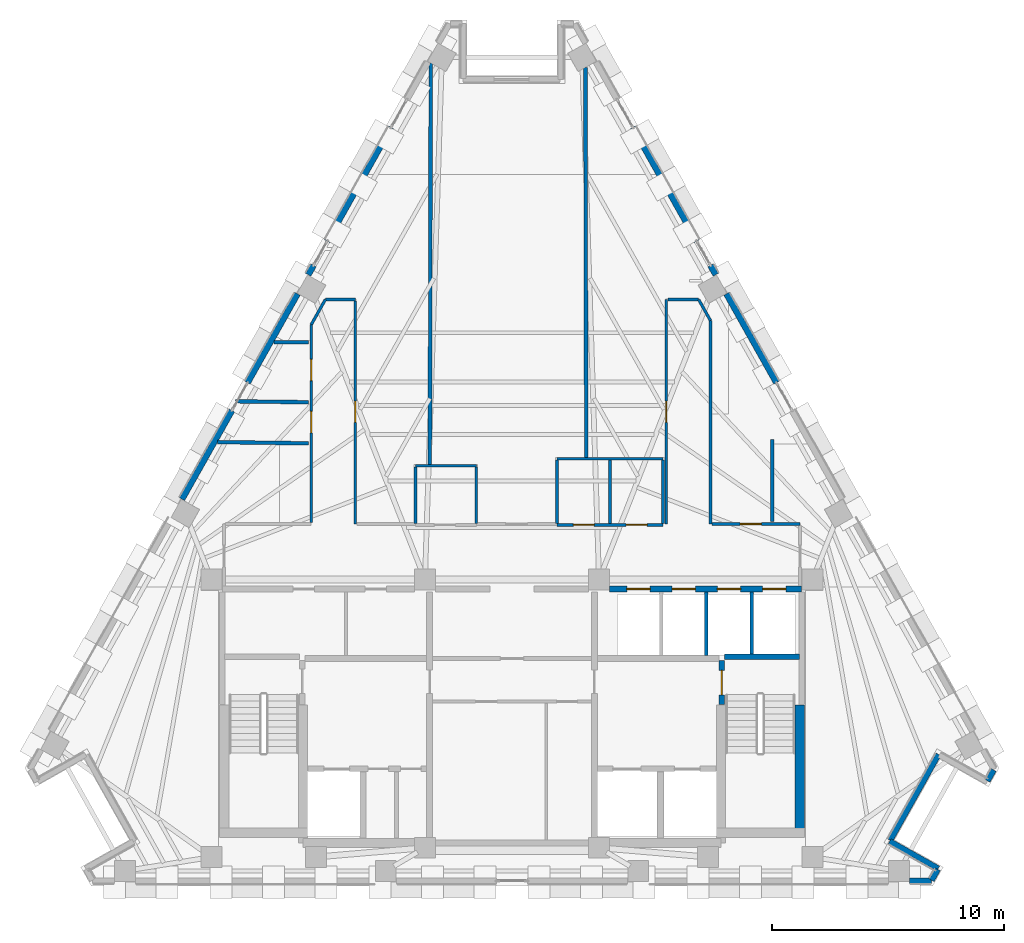
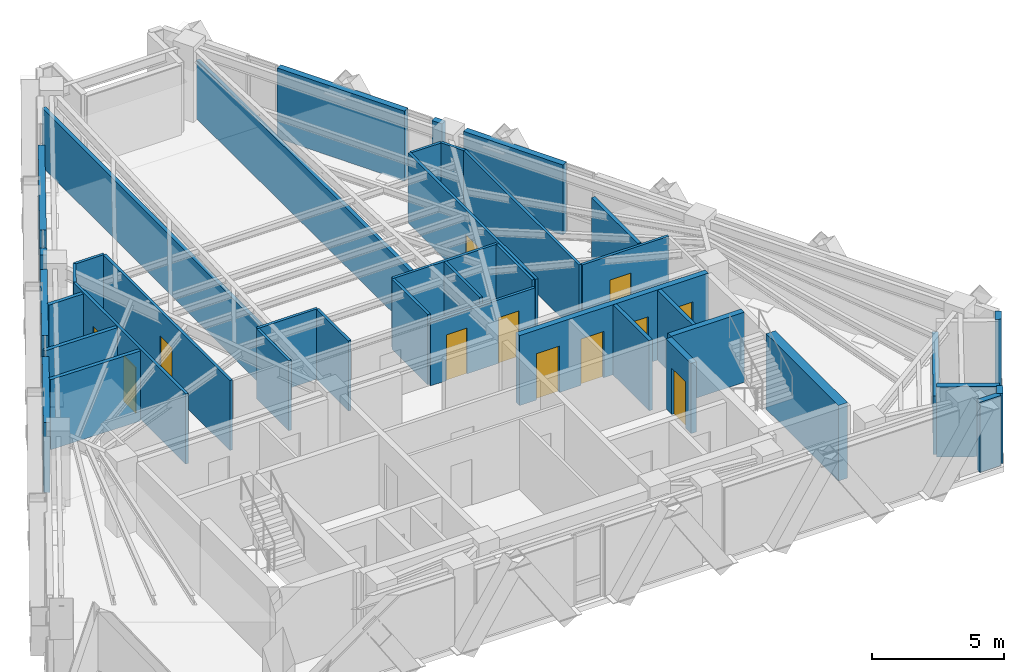
# One storey, part 8 of 12: 41 walls, 12 doors, 12 openings.
"""IFC4 building model written with IfcOpenShell, lengths in metres."""

from ifc_helpers import new_model, si_unit, direction, frame, frame_2d, origin, place, context, subcontext, project, spatial, rectangle, extrude, material, layer, layer_set, type_object, element, fill, save


model = new_model("IFC4")

# Units and contexts
model_context = context("Model", 3, precision=1e-05, world=origin(), true_north=direction((0.0, 1.0)))
body_context = subcontext(model_context, "Body", "Model", "MODEL_VIEW")
ifc_project = project(units=[si_unit("LENGTHUNIT", "METRE"), si_unit("AREAUNIT", "SQUARE_METRE"), si_unit("VOLUMEUNIT", "CUBIC_METRE"), si_unit("PLANEANGLEUNIT", "RADIAN"), si_unit("MASSUNIT", "GRAM", prefix="KILO")], contexts=[model_context])

# Site, building, storey
site_placement = place(None, origin())
site = spatial("IfcSite", under=ifc_project, at=site_placement, CompositionType="ELEMENT")
building_placement = place(site_placement, origin())
building = spatial("IfcBuilding", under=site, at=building_placement, Name="Quenlor Broadcast Tower", CompositionType="ELEMENT")
storey_placement = place(building_placement, frame((0.0, 0.0, 197.39990234375)))
storey = spatial("IfcBuildingStorey", under=building, at=storey_placement, Name="L54", CompositionType="ELEMENT", Elevation=197.39990234375)

# Wall
ifc_material_1 = material(Name="Concrete C50/60", Category="concrete")
ifc_layer_1 = layer(ifc_material_1, 0.39990234375)
ifc_layer_set_1 = layer_set([ifc_layer_1], Name="Core Concrete C50/60 Shear Wall 400")
wall_type_1 = type_object("IfcWallType", Name="Core Concrete C50/60 Shear Wall 400", PredefinedType="SHEAR", material=ifc_layer_set_1)
wall_1_placement = place(storey_placement, frame((12.39990234375, -15.699951171875, 0.0), z_axis=(0.0, 0.0, 1.0), x_axis=(0.0, 1.0, 0.0)))
element("IfcWall", 1, at=wall_1_placement, inside=storey, type_object=wall_type_1, Name="L54 Core Shear Wall WF-E", PredefinedType="SHEAR", context=body_context, shape_type="SweptSolid", body=[
    extrude(rectangle(XDim=5.5, YDim=0.39990234375, at=frame_2d((2.75, 0.0))), origin(), (0.0, 0.0, 1.0), 3.5),
])

# Wall, opening, door
ifc_material_2 = material(Name="Concrete C40/50", Category="concrete")
ifc_layer_2 = layer(ifc_material_2, 0.25)
ifc_layer_set_2 = layer_set([ifc_layer_2], Name="Fire Rated Concrete C40/50 Core Wall 250")
wall_type_2 = type_object("IfcWallType", Name="Fire Rated Concrete C40/50 Core Wall 250", PredefinedType="PARTITIONING", material=ifc_layer_set_2)
wall_2_placement = place(storey_placement, frame((9.0400390625, -10.179931640625, 0.0), z_axis=(0.0, 0.0, 1.0), x_axis=(0.0, 1.0, 0.0)))
wall_2 = element("IfcWall", 2, at=wall_2_placement, inside=storey, type_object=wall_type_2, Name="L54 Interior Wall CW-ST2-DR", PredefinedType="PARTITIONING", context=body_context, shape_type="SweptSolid", body=[
    extrude(rectangle(XDim=1.89990234375, YDim=0.25, at=frame_2d((0.949951171875, 0.0))), origin(), (0.0, 0.0, 1.0), 3.25),
])
opening_1_placement = place(wall_2_placement, frame((0.419921875, 0.0, 0.0)))
opening_1 = element("IfcOpeningElement", 3, at=opening_1_placement, cuts=wall_2, Name="Opening FD-1", PredefinedType="OPENING", context=body_context, shape_type="SweptSolid", body=[
    extrude(rectangle(XDim=1.050048828125, YDim=2.14990234375, at=frame_2d((0.52490234375, 1.074951171875))), frame((0.0, 0.135009765625, 0.0), z_axis=(0.0, -1.0, 0.0), x_axis=(1.0, 0.0, 0.0)), (0.0, 0.0, 1.0), 0.27001953125),
])
ifc_material_3 = material(Name="Fire Rated Steel Door Leaf", Category="steel")
door_type_1 = type_object("IfcDoorType", Name="Fire Isolated Stair Door 1050x2150", OperationType="NOTDEFINED", PredefinedType="DOOR", material=ifc_material_3)
door_1_placement = place(opening_1_placement, origin())
door_1 = element("IfcDoor", 4, at=door_1_placement, inside=storey, type_object=door_type_1, Name="L54 Door DR-ST2", OperationType="SINGLE_SWING_RIGHT", OverallHeight=2.14990234375, OverallWidth=1.050048828125, PredefinedType="DOOR", context=body_context, shape_type="SweptSolid", body=[
    extrude(rectangle(XDim=1.050048828125, YDim=2.14990234375, at=frame_2d((0.52490234375, 1.074951171875))), frame((0.0, 0.02490234375, 0.0), z_axis=(0.0, -1.0, 0.0), x_axis=(1.0, 0.0, 0.0)), (0.0, 0.0, 1.0), 0.050048828125),
])
fill(opening_1, door_1)

# Wall
wall_3_placement = place(storey_placement, frame((9.159912109375, -8.1201171875, 0.0), z_axis=(0.0, 0.0, 1.0), x_axis=(1.0, 0.0, 0.0)))
element("IfcWall", 5, at=wall_3_placement, inside=storey, type_object=wall_type_2, Name="L54 Interior Wall CW-ST2-N", PredefinedType="PARTITIONING", context=body_context, shape_type="SweptSolid", body=[
    extrude(rectangle(XDim=3.219970703125, YDim=0.25, at=frame_2d((1.60986328125, 0.0))), origin(), (0.0, 0.0, 1.0), 3.25),
])

# Wall, openings, doors
wall_4_placement = place(storey_placement, frame((4.201904296875, -5.199951171875, 0.0), z_axis=(0.0, 0.0, 1.0), x_axis=(1.0, 0.0, 0.0)))
wall_4 = element("IfcWall", 6, at=wall_4_placement, inside=storey, type_object=wall_type_2, Name="L54 Interior Wall CW-N-E", PredefinedType="PARTITIONING", context=body_context, shape_type="SweptSolid", body=[
    extrude(rectangle(XDim=8.278076171875, YDim=0.25, at=frame_2d((4.13916015625, 0.0))), origin(), (0.0, 0.0, 1.0), 3.25),
])
opening_2_placement = place(wall_4_placement, frame((0.748046875, 0.0, 0.0)))
opening_2 = element("IfcOpeningElement", 7, at=opening_2_placement, cuts=wall_4, Name="Opening LD-PL-H1", PredefinedType="OPENING", context=body_context, shape_type="SweptSolid", body=[
    extrude(rectangle(XDim=1.0, YDim=2.14990234375, at=frame_2d((0.5, 1.074951171875))), frame((0.0, 0.135009765625, 0.0), z_axis=(0.0, -1.0, 0.0), x_axis=(1.0, 0.0, 0.0)), (0.0, 0.0, 1.0), 0.27001953125),
])
opening_3_placement = place(wall_4_placement, frame((2.697998046875, 0.0, 0.0)))
opening_3 = element("IfcOpeningElement", 8, at=opening_3_placement, cuts=wall_4, Name="Opening LD-PL-H2", PredefinedType="OPENING", context=body_context, shape_type="SweptSolid", body=[
    extrude(rectangle(XDim=1.0, YDim=2.14990234375, at=frame_2d((0.5, 1.074951171875))), frame((0.0, 0.135009765625, 0.0), z_axis=(0.0, -1.0, 0.0), x_axis=(1.0, 0.0, 0.0)), (0.0, 0.0, 1.0), 0.27001953125),
])
opening_4_placement = place(wall_4_placement, frame((4.64794921875, 0.0, 0.0)))
opening_4 = element("IfcOpeningElement", 9, at=opening_4_placement, cuts=wall_4, Name="Opening LD-PL-H3", PredefinedType="OPENING", context=body_context, shape_type="SweptSolid", body=[
    extrude(rectangle(XDim=1.0, YDim=2.14990234375, at=frame_2d((0.5, 1.074951171875))), frame((0.0, 0.135009765625, 0.0), z_axis=(0.0, -1.0, 0.0), x_axis=(1.0, 0.0, 0.0)), (0.0, 0.0, 1.0), 0.27001953125),
])
opening_5_placement = place(wall_4_placement, frame((6.597900390625, 0.0, 0.0)))
opening_5 = element("IfcOpeningElement", 10, at=opening_5_placement, cuts=wall_4, Name="Opening LD-PL-H4", PredefinedType="OPENING", context=body_context, shape_type="SweptSolid", body=[
    extrude(rectangle(XDim=1.0, YDim=2.14990234375, at=frame_2d((0.5, 1.074951171875))), frame((0.0, 0.135009765625, 0.0), z_axis=(0.0, -1.0, 0.0), x_axis=(1.0, 0.0, 0.0)), (0.0, 0.0, 1.0), 0.27001953125),
])
ifc_material_4 = material(Name="Brushed Stainless Steel", Category="steel")
door_type_2 = type_object("IfcDoorType", Name="Passenger Lift Sliding Landing Door 1000x2150", OperationType="NOTDEFINED", PredefinedType="DOOR", material=ifc_material_4)
door_2_placement = place(opening_2_placement, origin())
door_2 = element("IfcDoor", 11, at=door_2_placement, inside=storey, type_object=door_type_2, Name="L54 Door LD-PL-H1", OperationType="SLIDING_TO_RIGHT", OverallHeight=2.14990234375, OverallWidth=1.0, PredefinedType="DOOR", context=body_context, shape_type="SweptSolid", body=[
    extrude(rectangle(XDim=1.0, YDim=2.14990234375, at=frame_2d((0.5, 1.074951171875))), frame((0.0, 0.02490234375, 0.0), z_axis=(0.0, -1.0, 0.0), x_axis=(1.0, 0.0, 0.0)), (0.0, 0.0, 1.0), 0.050048828125),
])
fill(opening_2, door_2)
door_3_placement = place(opening_3_placement, origin())
door_3 = element("IfcDoor", 12, at=door_3_placement, inside=storey, type_object=door_type_2, Name="L54 Door LD-PL-H2", OperationType="SLIDING_TO_RIGHT", OverallHeight=2.14990234375, OverallWidth=1.0, PredefinedType="DOOR", context=body_context, shape_type="SweptSolid", body=[
    extrude(rectangle(XDim=1.0, YDim=2.14990234375, at=frame_2d((0.5, 1.074951171875))), frame((0.0, 0.02490234375, 0.0), z_axis=(0.0, -1.0, 0.0), x_axis=(1.0, 0.0, 0.0)), (0.0, 0.0, 1.0), 0.050048828125),
])
fill(opening_3, door_3)
door_4_placement = place(opening_4_placement, origin())
door_4 = element("IfcDoor", 13, at=door_4_placement, inside=storey, type_object=door_type_2, Name="L54 Door LD-PL-H3", OperationType="SLIDING_TO_RIGHT", OverallHeight=2.14990234375, OverallWidth=1.0, PredefinedType="DOOR", context=body_context, shape_type="SweptSolid", body=[
    extrude(rectangle(XDim=1.0, YDim=2.14990234375, at=frame_2d((0.5, 1.074951171875))), frame((0.0, 0.02490234375, 0.0), z_axis=(0.0, -1.0, 0.0), x_axis=(1.0, 0.0, 0.0)), (0.0, 0.0, 1.0), 0.050048828125),
])
fill(opening_4, door_4)
door_5_placement = place(opening_5_placement, origin())
door_5 = element("IfcDoor", 14, at=door_5_placement, inside=storey, type_object=door_type_2, Name="L54 Door LD-PL-H4", OperationType="SLIDING_TO_RIGHT", OverallHeight=2.14990234375, OverallWidth=1.0, PredefinedType="DOOR", context=body_context, shape_type="SweptSolid", body=[
    extrude(rectangle(XDim=1.0, YDim=2.14990234375, at=frame_2d((0.5, 1.074951171875))), frame((0.0, 0.02490234375, 0.0), z_axis=(0.0, -1.0, 0.0), x_axis=(1.0, 0.0, 0.0)), (0.0, 0.0, 1.0), 0.050048828125),
])
fill(opening_5, door_5)

# Walls
ifc_material_5 = material(Name="Gypsum Fireboard Partition", Category="other")
ifc_layer_3 = layer(ifc_material_5, 0.159912109375)
ifc_layer_set_3 = layer_set([ifc_layer_3], Name="Fire Rated Shaft and Corridor Partition 160")
wall_type_3 = type_object("IfcWallType", Name="Fire Rated Shaft and Corridor Partition 160", PredefinedType="PARTITIONING", material=ifc_layer_set_3)
wall_5_placement = place(storey_placement, frame((8.375, -8.072998046875, 0.0), z_axis=(0.0, 0.0, 1.0), x_axis=(0.0, 1.0, 0.0)))
element("IfcWall", 15, at=wall_5_placement, inside=storey, type_object=wall_type_3, Name="L54 Interior Wall CW-PLH-D2", PredefinedType="PARTITIONING", context=body_context, shape_type="SweptSolid", body=[
    extrude(rectangle(XDim=2.73291015625, YDim=0.159912109375, at=frame_2d((1.366455078125, 0.0))), origin(), (0.0, 0.0, 1.0), 3.25),
])
wall_6_placement = place(storey_placement, frame((10.324951171875, -7.992919921875, 0.0), z_axis=(0.0, 0.0, 1.0), x_axis=(0.0, 1.0, 0.0)))
element("IfcWall", 16, at=wall_6_placement, inside=storey, type_object=wall_type_3, Name="L54 Interior Wall CW-PLH-D3", PredefinedType="PARTITIONING", context=body_context, shape_type="SweptSolid", body=[
    extrude(rectangle(XDim=2.65283203125, YDim=0.159912109375, at=frame_2d((1.326416015625, 0.0))), origin(), (0.0, 0.0, 1.0), 3.25),
])
wall_7_placement = place(storey_placement, frame((3.162109375, 17.265380859375, 0.0), z_axis=(0.0, 0.0, 1.0), x_axis=(0.002238822058, -0.999997493835, 0.0)))
element("IfcWall", 17, at=wall_7_placement, inside=storey, type_object=wall_type_3, Name="L54 Interior Wall PW-DV-01", PredefinedType="PARTITIONING", context=body_context, shape_type="SweptSolid", body=[
    extrude(rectangle(XDim=16.79345703125, YDim=0.159912109375, at=frame_2d((8.396728515625, 0.0))), origin(), (0.0, 0.0, 1.0), 2.721923828125),
])
wall_8_placement = place(storey_placement, frame((-3.539794921875, 0.172119140625, 0.0), z_axis=(0.0, 0.0, 1.0), x_axis=(0.002274198148, 0.999997414008, 0.0)))
element("IfcWall", 18, at=wall_8_placement, inside=storey, type_object=wall_type_3, Name="L54 Interior Wall PW-DV-02", PredefinedType="PARTITIONING", context=body_context, shape_type="SweptSolid", body=[
    extrude(rectangle(XDim=17.28369140625, YDim=0.159912109375, at=frame_2d((8.641845703125, 0.0))), origin(), (0.0, 0.0, 1.0), 2.721923828125),
])
wall_9_placement = place(storey_placement, frame((-8.760009765625, 5.429931640625, 0.0), z_axis=(0.0, 0.0, 1.0), x_axis=(-1.0, 0.0, 0.0)))
element("IfcWall", 19, at=wall_9_placement, inside=storey, type_object=wall_type_3, Name="L54 Interior Wall PW-DV-03", PredefinedType="PARTITIONING", context=body_context, shape_type="SweptSolid", body=[
    extrude(rectangle(XDim=1.5009765625, YDim=0.159912109375, at=frame_2d((0.75048828125, 0.0))), origin(), (0.0, 0.0, 1.0), 3.25),
])
wall_10_placement = place(storey_placement, frame((-8.760009765625, 2.84375, 0.0), z_axis=(0.0, 0.0, 1.0), x_axis=(-0.999923030771, 0.012406955015, 0.0)))
element("IfcWall", 20, at=wall_10_placement, inside=storey, type_object=wall_type_3, Name="L54 Interior Wall PW-DV-04", PredefinedType="PARTITIONING", context=body_context, shape_type="SweptSolid", body=[
    extrude(rectangle(XDim=3.1484375, YDim=0.159912109375, at=frame_2d((1.57421875, 0.0))), origin(), (0.0, 0.0, 1.0), 3.25),
])
wall_11_placement = place(storey_placement, frame((-8.760009765625, 1.072509765625, 0.0), z_axis=(0.0, 0.0, 1.0), x_axis=(-0.999901887135, 0.014007715871, 0.0)))
element("IfcWall", 21, at=wall_11_placement, inside=storey, type_object=wall_type_3, Name="L54 Interior Wall PW-DV-05", PredefinedType="PARTITIONING", context=body_context, shape_type="SweptSolid", body=[
    extrude(rectangle(XDim=3.921630859375, YDim=0.159912109375, at=frame_2d((1.9609375, 0.0))), origin(), (0.0, 0.0, 1.0), 3.25),
])
wall_12_placement = place(storey_placement, frame((11.21728515625, 1.22900390625, 0.0), z_axis=(0.0, 0.0, 1.0), x_axis=(0.0, -1.0, 0.0)))
element("IfcWall", 22, at=wall_12_placement, inside=storey, type_object=wall_type_3, Name="L54 Interior Wall PW-DV-06", PredefinedType="PARTITIONING", context=body_context, shape_type="SweptSolid", body=[
    extrude(rectangle(XDim=3.51904296875, YDim=0.159912109375, at=frame_2d((1.759521484375, 0.0))), origin(), (0.0, 0.0, 1.0), 3.25),
])
ifc_material_6 = material(Name="Gypsum Plasterboard Partition", Category="other")
ifc_layer_4 = layer(ifc_material_6, 0.1201171875)
ifc_layer_set_4 = layer_set([ifc_layer_4], Name="Standard Office Partition 120")
wall_type_4 = type_object("IfcWallType", Name="Standard Office Partition 120", PredefinedType="PARTITIONING", material=ifc_layer_set_4)
wall_13_placement = place(storey_placement, frame((-4.159912109375, 0.110107421875, 0.0), z_axis=(0.0, 0.0, 1.0), x_axis=(1.0, 0.0, 0.0)))
element("IfcWall", 23, at=wall_13_placement, inside=storey, type_object=wall_type_4, Name="L54 Interior Wall PW-AWC-N", PredefinedType="PARTITIONING", context=body_context, shape_type="SweptSolid", body=[
    extrude(rectangle(XDim=2.619873046875, YDim=0.1201171875, at=frame_2d((1.31005859375, 0.0))), origin(), (0.0, 0.0, 1.0), 3.25),
])
for number, where, z_axis, x_axis, name in (
    (24, (-4.159912109375, -2.3779296875, 0.0), (0.0, 0.0, 1.0), (0.0, 1.0, 0.0), "L54 Interior Wall PW-AWC-W"),
    (25, (-1.5400390625, -2.3779296875, 0.0), (0.0, 0.0, 1.0), (0.0, 1.0, 0.0), "L54 Interior Wall PW-AWC-E"),
):
    element("IfcWall", number, at=place(storey_placement, frame(where, z_axis=z_axis, x_axis=x_axis)), inside=storey, type_object=wall_type_4, Name=name, PredefinedType="PARTITIONING", context=body_context, shape_type="SweptSolid", body=[
        extrude(rectangle(XDim=2.426025390625, YDim=0.1201171875, at=frame_2d((1.212890625, 0.0))), origin(), (0.0, 0.0, 1.0), 3.25),
    ])

# Wall, openings, doors
wall_14_placement = place(storey_placement, frame((1.93994140625, -2.43994140625, 0.0), z_axis=(0.0, 0.0, 1.0), x_axis=(1.0, 0.0, 0.0)))
wall_14 = element("IfcWall", 26, at=wall_14_placement, inside=storey, type_object=wall_type_4, Name="L54 Interior Wall PW-WC-S", PredefinedType="PARTITIONING", context=body_context, shape_type="SweptSolid", body=[
    extrude(rectangle(XDim=4.570068359375, YDim=0.1201171875, at=frame_2d((2.28515625, 0.0))), origin(), (0.0, 0.0, 1.0), 2.94287109375),
])
opening_6_placement = place(wall_14_placement, frame((0.699951171875, 0.0, 0.0)))
opening_6 = element("IfcOpeningElement", 27, at=opening_6_placement, cuts=wall_14, Name="Opening ID-3", PredefinedType="OPENING", context=body_context, shape_type="SweptSolid", body=[
    extrude(rectangle(XDim=0.89990234375, YDim=2.1201171875, at=frame_2d((0.449951171875, 1.06005859375))), frame((0.0, 0.070068359375, 0.0), z_axis=(0.0, -1.0, 0.0), x_axis=(1.0, 0.0, 0.0)), (0.0, 0.0, 1.0), 0.14013671875),
])
opening_7_placement = place(wall_14_placement, frame((2.97998046875, 0.0, 0.0)))
opening_7 = element("IfcOpeningElement", 28, at=opening_7_placement, cuts=wall_14, Name="Opening ID-3", PredefinedType="OPENING", context=body_context, shape_type="SweptSolid", body=[
    extrude(rectangle(XDim=0.89990234375, YDim=2.1201171875, at=frame_2d((0.449951171875, 1.06005859375))), frame((0.0, 0.070068359375, 0.0), z_axis=(0.0, -1.0, 0.0), x_axis=(1.0, 0.0, 0.0)), (0.0, 0.0, 1.0), 0.14013671875),
])
ifc_material_7 = material(Name="Moisture Resistant Timber Oak", Category="wood")
door_type_3 = type_object("IfcDoorType", Name="Washroom Privacy Door 900x2120", OperationType="NOTDEFINED", PredefinedType="DOOR", material=ifc_material_7)
door_6_placement = place(opening_6_placement, origin())
door_6 = element("IfcDoor", 29, at=door_6_placement, inside=storey, type_object=door_type_3, Name="L54 Door DR-MWC", OperationType="SINGLE_SWING_LEFT", OverallHeight=2.1201171875, OverallWidth=0.89990234375, PredefinedType="DOOR", context=body_context, shape_type="SweptSolid", body=[
    extrude(rectangle(XDim=0.89990234375, YDim=2.1201171875, at=frame_2d((0.449951171875, 1.06005859375))), frame((0.0, 0.02490234375, 0.0), z_axis=(0.0, -1.0, 0.0), x_axis=(1.0, 0.0, 0.0)), (0.0, 0.0, 1.0), 0.050048828125),
])
fill(opening_6, door_6)
door_7_placement = place(opening_7_placement, origin())
door_7 = element("IfcDoor", 30, at=door_7_placement, inside=storey, type_object=door_type_3, Name="L54 Door DR-FWC", OperationType="SINGLE_SWING_RIGHT", OverallHeight=2.1201171875, OverallWidth=0.89990234375, PredefinedType="DOOR", context=body_context, shape_type="SweptSolid", body=[
    extrude(rectangle(XDim=0.89990234375, YDim=2.1201171875, at=frame_2d((0.449951171875, 1.06005859375))), frame((0.0, 0.02490234375, 0.0), z_axis=(0.0, -1.0, 0.0), x_axis=(1.0, 0.0, 0.0)), (0.0, 0.0, 1.0), 0.050048828125),
])
fill(opening_7, door_7)

# Walls
wall_15_placement = place(storey_placement, frame((1.93994140625, 0.409912109375, 0.0), z_axis=(0.0, 0.0, 1.0), x_axis=(1.0, 0.0, 0.0)))
element("IfcWall", 31, at=wall_15_placement, inside=storey, type_object=wall_type_4, Name="L54 Interior Wall PW-WC-N", PredefinedType="PARTITIONING", context=body_context, shape_type="SweptSolid", body=[
    extrude(rectangle(XDim=4.570068359375, YDim=0.1201171875, at=frame_2d((2.28515625, 0.0))), origin(), (0.0, 0.0, 1.0), 3.25),
])
for number, where, z_axis, x_axis, name in (
    (32, (1.93994140625, -2.3779296875, 0.0), (0.0, 0.0, 1.0), (0.0, 1.0, 0.0), "L54 Interior Wall PW-WC-W"),
    (33, (4.219970703125, -2.3779296875, 0.0), (0.0, 0.0, 1.0), (0.0, 1.0, 0.0), "L54 Interior Wall PW-WC-M"),
    (34, (6.510009765625, -2.3779296875, 0.0), (0.0, 0.0, 1.0), (0.0, 1.0, 0.0), "L54 Interior Wall PW-WC-E"),
):
    element("IfcWall", number, at=place(storey_placement, frame(where, z_axis=z_axis, x_axis=x_axis)), inside=storey, type_object=wall_type_4, Name=name, PredefinedType="PARTITIONING", context=body_context, shape_type="SweptSolid", body=[
        extrude(rectangle(XDim=2.725830078125, YDim=0.1201171875, at=frame_2d((1.36279296875, 0.0))), origin(), (0.0, 0.0, 1.0), 3.25),
    ])

# Wall, openings, doors
wall_16_placement = place(storey_placement, frame((-8.64990234375, -2.337890625, 0.0), z_axis=(0.0, 0.0, 1.0), x_axis=(0.0, 1.0, 0.0)))
wall_16 = element("IfcWall", 35, at=wall_16_placement, inside=storey, type_object=wall_type_4, Name="L54 Interior Wall PW-CR-03", PredefinedType="PARTITIONING", context=body_context, shape_type="SweptSolid", body=[
    extrude(rectangle(XDim=8.52490234375, YDim=0.1201171875, at=frame_2d((4.262451171875, 0.0))), origin(), (0.0, 0.0, 1.0), 3.25),
])
opening_8_placement = place(wall_16_placement, frame((6.10888671875, 0.0, 0.0)))
opening_8 = element("IfcOpeningElement", 36, at=opening_8_placement, cuts=wall_16, Name="Opening ID-1", PredefinedType="OPENING", context=body_context, shape_type="SweptSolid", body=[
    extrude(rectangle(XDim=0.919921875, YDim=2.1201171875, at=frame_2d((0.4599609375, 1.06005859375))), frame((0.0, 0.070068359375, 0.0), z_axis=(0.0, -1.0, 0.0), x_axis=(1.0, 0.0, 0.0)), (0.0, 0.0, 1.0), 0.14013671875),
])
opening_9_placement = place(wall_16_placement, frame((3.863037109375, 0.0, 0.0)))
opening_9 = element("IfcOpeningElement", 37, at=opening_9_placement, cuts=wall_16, Name="Opening ID-1", PredefinedType="OPENING", context=body_context, shape_type="SweptSolid", body=[
    extrude(rectangle(XDim=0.919921875, YDim=2.1201171875, at=frame_2d((0.4599609375, 1.06005859375))), frame((0.0, 0.070068359375, 0.0), z_axis=(0.0, -1.0, 0.0), x_axis=(1.0, 0.0, 0.0)), (0.0, 0.0, 1.0), 0.14013671875),
])
ifc_material_8 = material(Name="Solid Core Timber Oak", Category="wood")
door_type_4 = type_object("IfcDoorType", Name="Single Leaf Timber Office Door 920x2120", OperationType="NOTDEFINED", PredefinedType="DOOR", material=ifc_material_8)
door_8_placement = place(opening_8_placement, origin())
door_8 = element("IfcDoor", 38, at=door_8_placement, inside=storey, type_object=door_type_4, Name="L54 Door DR-RM04", OperationType="SINGLE_SWING_LEFT", OverallHeight=2.1201171875, OverallWidth=0.919921875, PredefinedType="DOOR", context=body_context, shape_type="SweptSolid", body=[
    extrude(rectangle(XDim=0.919921875, YDim=2.1201171875, at=frame_2d((0.4599609375, 1.06005859375))), frame((0.0, 0.02490234375, 0.0), z_axis=(0.0, -1.0, 0.0), x_axis=(1.0, 0.0, 0.0)), (0.0, 0.0, 1.0), 0.050048828125),
])
fill(opening_8, door_8)
door_9_placement = place(opening_9_placement, origin())
door_9 = element("IfcDoor", 39, at=door_9_placement, inside=storey, type_object=door_type_4, Name="L54 Door DR-RM05", OperationType="SINGLE_SWING_RIGHT", OverallHeight=2.1201171875, OverallWidth=0.919921875, PredefinedType="DOOR", context=body_context, shape_type="SweptSolid", body=[
    extrude(rectangle(XDim=0.919921875, YDim=2.1201171875, at=frame_2d((0.4599609375, 1.06005859375))), frame((0.0, 0.02490234375, 0.0), z_axis=(0.0, -1.0, 0.0), x_axis=(1.0, 0.0, 0.0)), (0.0, 0.0, 1.0), 0.050048828125),
])
fill(opening_9, door_9)

# Walls
wall_17_placement = place(storey_placement, frame((-8.64892578125, 6.18896484375, 0.0), z_axis=(0.0, 0.0, 1.0), x_axis=(0.490298618985, 0.871554510183, 0.0)))
element("IfcWall", 40, at=wall_17_placement, inside=storey, type_object=wall_type_4, Name="L54 Interior Wall PW-CR-04", PredefinedType="PARTITIONING", context=body_context, shape_type="SweptSolid", body=[
    extrude(rectangle(XDim=1.240478515625, YDim=0.1201171875, at=frame_2d((0.6201171875, 0.0))), origin(), (0.0, 0.0, 1.0), 3.25),
])
wall_18_placement = place(storey_placement, frame((-8.03662109375, 7.27001953125, 0.0), z_axis=(0.0, 0.0, 1.0), x_axis=(1.0, 0.0, 0.0)))
element("IfcWall", 41, at=wall_18_placement, inside=storey, type_object=wall_type_4, Name="L54 Interior Wall PW-CR-05", PredefinedType="PARTITIONING", context=body_context, shape_type="SweptSolid", body=[
    extrude(rectangle(XDim=1.28662109375, YDim=0.1201171875, at=frame_2d((0.643310546875, 0.0))), origin(), (0.0, 0.0, 1.0), 3.25),
])

# Wall, opening, door
wall_19_placement = place(storey_placement, frame((-6.75, 7.2080078125, 0.0), z_axis=(0.0, 0.0, 1.0), x_axis=(0.0, -1.0, 0.0)))
wall_19 = element("IfcWall", 42, at=wall_19_placement, inside=storey, type_object=wall_type_4, Name="L54 Interior Wall PW-CR-06", PredefinedType="PARTITIONING", context=body_context, shape_type="SweptSolid", body=[
    extrude(rectangle(XDim=9.60791015625, YDim=0.1201171875, at=frame_2d((4.803955078125, 0.0))), origin(), (0.0, 0.0, 1.0), 3.25),
])
opening_10_placement = place(wall_19_placement, frame((4.31298828125, 0.0, 0.0)))
opening_10 = element("IfcOpeningElement", 43, at=opening_10_placement, cuts=wall_19, Name="Opening ID-1", PredefinedType="OPENING", context=body_context, shape_type="SweptSolid", body=[
    extrude(rectangle(XDim=0.919921875, YDim=2.1201171875, at=frame_2d((0.4599609375, 1.06005859375))), frame((0.0, 0.070068359375, 0.0), z_axis=(0.0, -1.0, 0.0), x_axis=(1.0, 0.0, 0.0)), (0.0, 0.0, 1.0), 0.14013671875),
])
door_10_placement = place(opening_10_placement, origin())
door_10 = element("IfcDoor", 44, at=door_10_placement, inside=storey, type_object=door_type_4, Name="L54 Door DR-RM03", OperationType="SINGLE_SWING_RIGHT", OverallHeight=2.1201171875, OverallWidth=0.919921875, PredefinedType="DOOR", context=body_context, shape_type="SweptSolid", body=[
    extrude(rectangle(XDim=0.919921875, YDim=2.1201171875, at=frame_2d((0.4599609375, 1.06005859375))), frame((0.0, 0.02490234375, 0.0), z_axis=(0.0, -1.0, 0.0), x_axis=(1.0, 0.0, 0.0)), (0.0, 0.0, 1.0), 0.050048828125),
])
fill(opening_10, door_10)

wall_20_placement = place(storey_placement, frame((6.64990234375, -2.39990234375, 0.0), z_axis=(0.0, 0.0, 1.0), x_axis=(0.0, 1.0, 0.0)))
wall_20 = element("IfcWall", 45, at=wall_20_placement, inside=storey, type_object=wall_type_4, Name="L54 Interior Wall PW-CR-08", PredefinedType="PARTITIONING", context=body_context, shape_type="SweptSolid", body=[
    extrude(rectangle(XDim=9.669921875, YDim=0.1201171875, at=frame_2d((4.8349609375, 0.0))), origin(), (0.0, 0.0, 1.0), 3.25),
])
opening_11_placement = place(wall_20_placement, frame((4.375, 0.0, 0.0)))
opening_11 = element("IfcOpeningElement", 46, at=opening_11_placement, cuts=wall_20, Name="Opening ID-1", PredefinedType="OPENING", context=body_context, shape_type="SweptSolid", body=[
    extrude(rectangle(XDim=0.919921875, YDim=2.1201171875, at=frame_2d((0.4599609375, 1.06005859375))), frame((0.0, 0.070068359375, 0.0), z_axis=(0.0, -1.0, 0.0), x_axis=(1.0, 0.0, 0.0)), (0.0, 0.0, 1.0), 0.14013671875),
])
door_11_placement = place(opening_11_placement, origin())
door_11 = element("IfcDoor", 47, at=door_11_placement, inside=storey, type_object=door_type_4, Name="L54 Door DR-RM02", OperationType="SINGLE_SWING_LEFT", OverallHeight=2.1201171875, OverallWidth=0.919921875, PredefinedType="DOOR", context=body_context, shape_type="SweptSolid", body=[
    extrude(rectangle(XDim=0.919921875, YDim=2.1201171875, at=frame_2d((0.4599609375, 1.06005859375))), frame((0.0, 0.02490234375, 0.0), z_axis=(0.0, -1.0, 0.0), x_axis=(1.0, 0.0, 0.0)), (0.0, 0.0, 1.0), 0.050048828125),
])
fill(opening_11, door_11)

# Walls
wall_21_placement = place(storey_placement, frame((6.7119140625, 7.27001953125, 0.0), z_axis=(0.0, 0.0, 1.0), x_axis=(1.0, 0.0, 0.0)))
element("IfcWall", 48, at=wall_21_placement, inside=storey, type_object=wall_type_4, Name="L54 Interior Wall PW-CR-09", PredefinedType="PARTITIONING", context=body_context, shape_type="SweptSolid", body=[
    extrude(rectangle(XDim=1.328857421875, YDim=0.1201171875, at=frame_2d((0.66455078125, 0.0))), origin(), (0.0, 0.0, 1.0), 3.25),
])
wall_22_placement = place(storey_placement, frame((8.042724609375, 7.266357421875, 0.0), z_axis=(0.0, 0.0, 1.0), x_axis=(0.490384481046, -0.871506202359, 0.0)))
element("IfcWall", 49, at=wall_22_placement, inside=storey, type_object=wall_type_4, Name="L54 Interior Wall PW-CR-10", PredefinedType="PARTITIONING", context=body_context, shape_type="SweptSolid", body=[
    extrude(rectangle(XDim=1.034423828125, YDim=0.1201171875, at=frame_2d((0.51708984375, 0.0))), origin(), (0.0, 0.0, 1.0), 3.25),
])
wall_23_placement = place(storey_placement, frame((8.550048828125, 6.362548828125, 0.0), z_axis=(0.0, 0.0, 1.0), x_axis=(0.0, -1.0, 0.0)))
element("IfcWall", 50, at=wall_23_placement, inside=storey, type_object=wall_type_4, Name="L54 Interior Wall PW-CR-11", PredefinedType="PARTITIONING", context=body_context, shape_type="SweptSolid", body=[
    extrude(rectangle(XDim=8.762451171875, YDim=0.1201171875, at=frame_2d((4.38134765625, 0.0))), origin(), (0.0, 0.0, 1.0), 3.25),
])

# Wall, opening, door
wall_24_placement = place(storey_placement, frame((8.612060546875, -2.39990234375, 0.0), z_axis=(0.0, 0.0, 1.0), x_axis=(1.0, 0.0, 0.0)))
wall_24 = element("IfcWall", 51, at=wall_24_placement, inside=storey, type_object=wall_type_4, Name="L54 Interior Wall PW-CR-12", PredefinedType="PARTITIONING", context=body_context, shape_type="SweptSolid", body=[
    extrude(rectangle(XDim=3.7978515625, YDim=0.1201171875, at=frame_2d((1.89892578125, 0.0))), origin(), (0.0, 0.0, 1.0), 3.25),
])
opening_12_placement = place(wall_24_placement, frame((1.217041015625, 0.0, 0.0)))
opening_12 = element("IfcOpeningElement", 52, at=opening_12_placement, cuts=wall_24, Name="Opening ID-1", PredefinedType="OPENING", context=body_context, shape_type="SweptSolid", body=[
    extrude(rectangle(XDim=0.919921875, YDim=2.1201171875, at=frame_2d((0.4599609375, 1.06005859375))), frame((0.0, 0.070068359375, 0.0), z_axis=(0.0, -1.0, 0.0), x_axis=(1.0, 0.0, 0.0)), (0.0, 0.0, 1.0), 0.14013671875),
])
door_12_placement = place(opening_12_placement, origin())
door_12 = element("IfcDoor", 53, at=door_12_placement, inside=storey, type_object=door_type_4, Name="L54 Door DR-RM06", OperationType="SINGLE_SWING_LEFT", OverallHeight=2.1201171875, OverallWidth=0.919921875, PredefinedType="DOOR", context=body_context, shape_type="SweptSolid", body=[
    extrude(rectangle(XDim=0.919921875, YDim=2.1201171875, at=frame_2d((0.4599609375, 1.06005859375))), frame((0.0, 0.02490234375, 0.0), z_axis=(0.0, -1.0, 0.0), x_axis=(1.0, 0.0, 0.0)), (0.0, 0.0, 1.0), 0.050048828125),
])
fill(opening_12, door_12)

# Walls
ifc_material_9 = material(Name="Precast concrete C40/50", Category="concrete")
ifc_layer_5 = layer(ifc_material_9, 0.239990234375)
ifc_layer_set_5 = layer_set([ifc_layer_5], Name="Terrace Threshold Precast Concrete C40/50 Wall 240")
wall_type_5 = type_object("IfcWallType", Name="Terrace Threshold Precast Concrete C40/50 Wall 240", PredefinedType="STANDARD", material=ifc_layer_set_5)
wall_25_placement = place(storey_placement, frame((18.06591796875, -17.77490234375, 0.0), z_axis=(0.0, 0.0, 1.0), x_axis=(-1.0, 0.0, 0.0)))
element("IfcWall", 54, at=wall_25_placement, inside=storey, type_object=wall_type_5, Name="L54 Exterior Wall L54-SHD-SS0", PredefinedType="STANDARD", context=body_context, shape_type="SweptSolid", body=[
    extrude(rectangle(XDim=0.93505859375, YDim=0.239990234375, at=frame_2d((0.467529296875, 0.0))), origin(), (0.0, 0.0, 1.0), 3.25),
])
wall_26_placement = place(storey_placement, frame((18.365966796875, -17.246826171875, 0.0), z_axis=(0.0, 0.0, 1.0), x_axis=(-0.871597270235, 0.490222600988, 0.0)))
element("IfcWall", 55, at=wall_26_placement, inside=storey, type_object=wall_type_5, Name="L54 Exterior Wall L54-CNR-01", PredefinedType="STANDARD", context=body_context, shape_type="SweptSolid", body=[
    extrude(rectangle(XDim=2.39990234375, YDim=0.239990234375, at=frame_2d((1.199951171875, 0.0))), origin(), (0.0, 0.0, 1.0), 3.25),
])
wall_27_placement = place(storey_placement, frame((16.293701171875, -16.035400390625, 0.0), z_axis=(0.0, 0.0, 1.0), x_axis=(0.49027487746, 0.871567865706, 0.0)))
element("IfcWall", 56, at=wall_27_placement, inside=storey, type_object=wall_type_5, Name="L54 Exterior Wall L54-CNR-02", PredefinedType="STANDARD", context=body_context, shape_type="SweptSolid", body=[
    extrude(rectangle(XDim=4.249755859375, YDim=0.239990234375, at=frame_2d((2.125, 0.0))), origin(), (0.0, 0.0, 1.0), 2.721923828125),
])
wall_28_placement = place(storey_placement, frame((20.48876953125, -13.473388671875, 0.0), z_axis=(0.0, 0.0, 1.0), x_axis=(0.490133374867, 0.87164744871, 0.0)))
element("IfcWall", 57, at=wall_28_placement, inside=storey, type_object=wall_type_5, Name="L54 Exterior Wall L54-CNR-04", PredefinedType="STANDARD", context=body_context, shape_type="SweptSolid", body=[
    extrude(rectangle(XDim=0.5439453125, YDim=0.239990234375, at=frame_2d((0.27197265625, 0.0))), origin(), (0.0, 0.0, 1.0), 3.25),
])
wall_29_placement = place(storey_placement, frame((18.081298828125, -17.752685546875, 0.0), z_axis=(0.0, 0.0, 1.0), x_axis=(0.490582915772, 0.871394516136, 0.0)))
element("IfcWall", 58, at=wall_29_placement, inside=storey, type_object=wall_type_5, Name="L54 Exterior Wall L54-CNR-18", PredefinedType="STANDARD", context=body_context, shape_type="SweptSolid", body=[
    extrude(rectangle(XDim=0.54052734375, YDim=0.239990234375, at=frame_2d((0.270263671875, 0.0))), origin(), (0.0, 0.0, 1.0), 3.25),
])
ifc_material_10 = material(Name="Precast concrete C40/50", Category="concrete")
ifc_layer_6 = layer(ifc_material_10, 0.260009765625)
ifc_layer_set_6 = layer_set([ifc_layer_6], Name="Terracotta Precast Concrete C40/50 Upper Wall 260")
wall_type_6 = type_object("IfcWallType", Name="Terracotta Precast Concrete C40/50 Upper Wall 260", PredefinedType="STANDARD", material=ifc_layer_set_6)
wall_30_placement = place(storey_placement, frame((5.2080078125, 14.682373046875, 0.0), z_axis=(0.0, 0.0, 1.0), x_axis=(0.490240608828, -0.871587141631, 0.0)))
element("IfcWall", 59, at=wall_30_placement, inside=storey, type_object=wall_type_6, Name="L54 Exterior Wall L54-NEA-SP2", PredefinedType="STANDARD", context=body_context, shape_type="SweptSolid", body=[
    extrude(rectangle(XDim=5.618408203125, YDim=0.260009765625, at=frame_2d((2.80908203125, 0.0))), origin(), (0.0, 0.0, 1.0), 3.25),
])
wall_31_placement = place(storey_placement, frame((8.551513671875, 8.73828125, 0.0), z_axis=(0.0, 0.0, 1.0), x_axis=(0.490412424957, -0.871490478116, 0.0)))
element("IfcWall", 60, at=wall_31_placement, inside=storey, type_object=wall_type_6, Name="L54 Exterior Wall L54-NEA-SP3", PredefinedType="STANDARD", context=body_context, shape_type="SweptSolid", body=[
    extrude(rectangle(XDim=0.4599609375, YDim=0.260009765625, at=frame_2d((0.22998046875, 0.0))), origin(), (0.0, 0.0, 1.0), 3.25),
])
wall_32_placement = place(storey_placement, frame((9.240478515625, 7.513671875, 0.0), z_axis=(0.0, 0.0, 1.0), x_axis=(0.490237464814, -0.871588910033, 0.0)))
element("IfcWall", 61, at=wall_32_placement, inside=storey, type_object=wall_type_6, Name="L54 Exterior Wall L54-NE-SP1", PredefinedType="STANDARD", context=body_context, shape_type="SweptSolid", body=[
    extrude(rectangle(XDim=4.387939453125, YDim=0.260009765625, at=frame_2d((2.19384765625, 0.0))), origin(), (0.0, 0.0, 1.0), 3.25),
])
wall_33_placement = place(storey_placement, frame((-8.777099609375, 8.33740234375, 0.0), z_axis=(0.0, 0.0, 1.0), x_axis=(0.490412424957, 0.871490478116, 0.0)))
element("IfcWall", 62, at=wall_33_placement, inside=storey, type_object=wall_type_6, Name="L54 Exterior Wall L54-NWC-SP1", PredefinedType="STANDARD", context=body_context, shape_type="SweptSolid", body=[
    extrude(rectangle(XDim=0.4599609375, YDim=0.260009765625, at=frame_2d((0.22998046875, 0.0))), origin(), (0.0, 0.0, 1.0), 3.25),
])
wall_34_placement = place(storey_placement, frame((-7.96240234375, 9.785400390625, 0.0), z_axis=(0.0, 0.0, 1.0), x_axis=(0.490240608828, 0.871587141631, 0.0)))
element("IfcWall", 63, at=wall_34_placement, inside=storey, type_object=wall_type_6, Name="L54 Exterior Wall L54-NWC-SP2", PredefinedType="STANDARD", context=body_context, shape_type="SweptSolid", body=[
    extrude(rectangle(XDim=5.618408203125, YDim=0.260009765625, at=frame_2d((2.80908203125, 0.0))), origin(), (0.0, 0.0, 1.0), 3.25),
])
wall_35_placement = place(storey_placement, frame((-14.21728515625, -1.334228515625, 0.0), z_axis=(0.0, 0.0, 1.0), x_axis=(0.490261239633, 0.871575537125, 0.0)))
element("IfcWall", 64, at=wall_35_placement, inside=storey, type_object=wall_type_6, Name="L54 Exterior Wall L54-NW-SP1", PredefinedType="STANDARD", context=body_context, shape_type="SweptSolid", body=[
    extrude(rectangle(XDim=4.3876953125, YDim=0.260009765625, at=frame_2d((2.19384765625, 0.0))), origin(), (0.0, 0.0, 1.0), 3.25),
])
wall_36_placement = place(storey_placement, frame((-11.3916015625, 3.689208984375, 0.0), z_axis=(0.0, 0.0, 1.0), x_axis=(0.490237464814, 0.871588910033, 0.0)))
element("IfcWall", 65, at=wall_36_placement, inside=storey, type_object=wall_type_6, Name="L54 Exterior Wall L54-NW-SP2", PredefinedType="STANDARD", context=body_context, shape_type="SweptSolid", body=[
    extrude(rectangle(XDim=4.387939453125, YDim=0.260009765625, at=frame_2d((2.19384765625, 0.0))), origin(), (0.0, 0.0, 1.0), 3.25),
])

save(model, "model.ifc")
